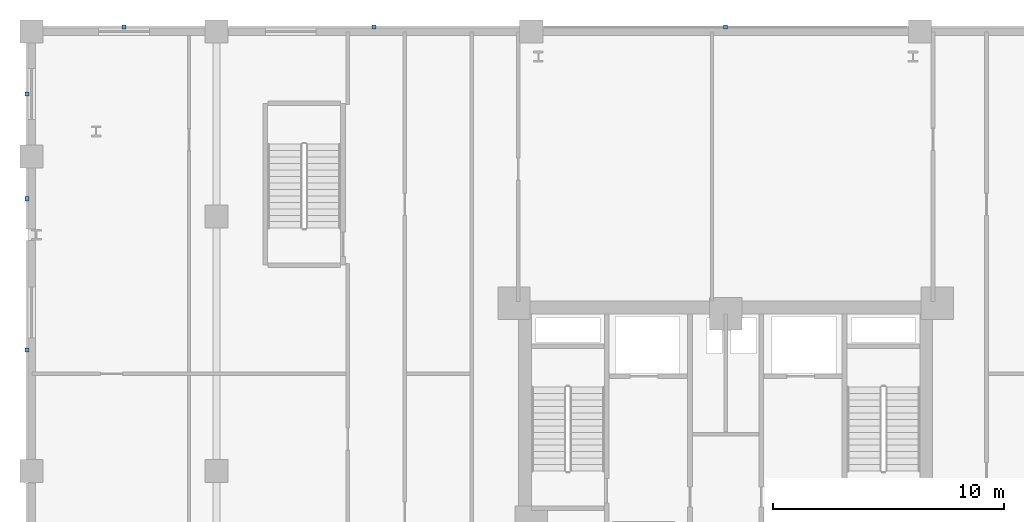
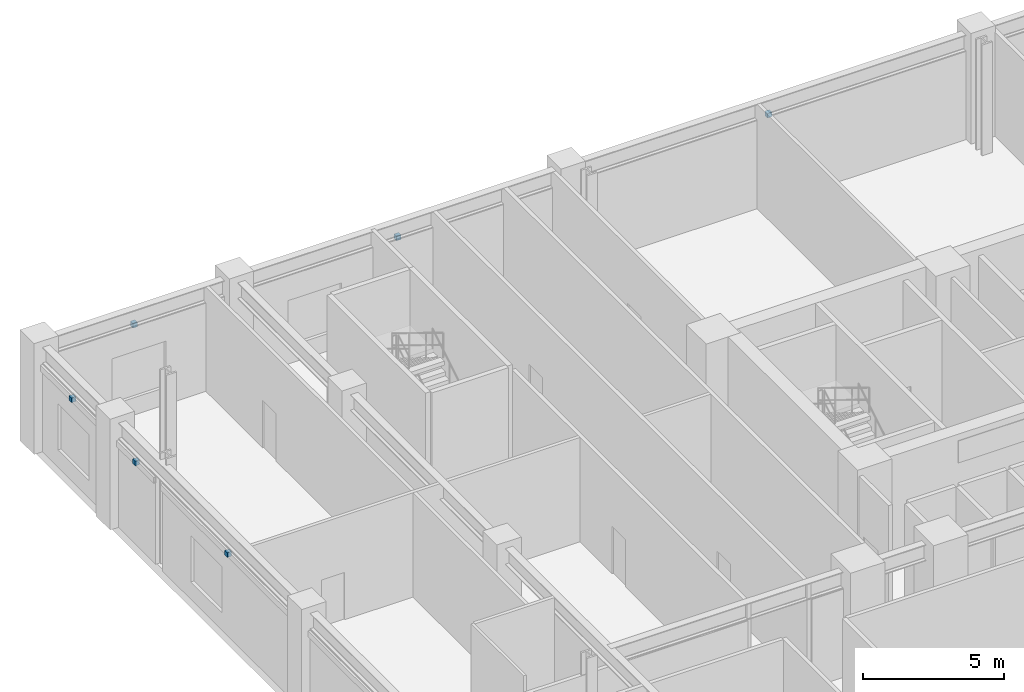
# One storey, part 25 of 34: 6 discrete accessories.
"""IFC4 building model written with IfcOpenShell, lengths in metres."""

from ifc_helpers import new_model, si_unit, derived_unit, direction, frame, origin, origin_2d, place, context, subcontext, project, spatial, rectangle, extrude, source, transform, mapped, material, type_object, element, save


model = new_model("IFC4")

# Units and contexts
model_context = context("Model", 3, precision=1e-05, world=origin(), true_north=direction((0.0, 1.0)))
body_context = subcontext(model_context, "Body", "Model", "MODEL_VIEW")
ifc_project = project(units=[si_unit("LENGTHUNIT", "METRE"), si_unit("AREAUNIT", "SQUARE_METRE"), si_unit("VOLUMEUNIT", "CUBIC_METRE"), si_unit("PLANEANGLEUNIT", "RADIAN"), si_unit("MASSUNIT", "GRAM", prefix="KILO"), derived_unit("THERMALTRANSMITTANCEUNIT", [(si_unit("POWERUNIT", "WATT"), 1), (si_unit("LENGTHUNIT", "METRE"), -2), (si_unit("THERMODYNAMICTEMPERATUREUNIT", "KELVIN"), -1)])], contexts=[model_context])

# Site, building, storey
site_placement = place(None, origin())
site = spatial("IfcSite", under=ifc_project, at=site_placement, CompositionType="ELEMENT")
building_placement = place(site_placement, origin())
building = spatial("IfcBuilding", under=site, at=building_placement, Name="Korsvarv Bourse and Concert Hall", CompositionType="ELEMENT")
storey_placement = place(building_placement, frame((0.0, 0.0, 14.39990234375)))
storey = spatial("IfcBuildingStorey", under=building, at=storey_placement, Name="L03", CompositionType="ELEMENT", Elevation=14.39990234375)

# Discrete accessories
ifc_material = material(Name="Stainless Steel S355 facade outrigger bracket", Category="steel")
discrete_accessory_type = type_object("IfcDiscreteAccessoryType", Name="ACC-BRK-1", PredefinedType="BRACKET", material=ifc_material)
shared_shape = source(origin(), body_context, "Body", "SweptSolid", [
    extrude(rectangle(XDim=0.179931640625, YDim=0.179931640625, at=origin_2d()), origin(), (0.0, 0.0, 1.0), 0.199951171875),
])
for number, where, z_axis, x_axis, name in (
    (1, (10.0, 59.199951171875, 3.56005859375), (0.0, 0.0, 1.0), (1.0, 0.0, 0.0), "L03 terracotta sunshade bracket EW-L03-N1"),
    (2, (20.800048828125, 59.199951171875, 3.56005859375), (0.0, 0.0, 1.0), (1.0, 0.0, 0.0), "L03 terracotta sunshade bracket EW-L03-N2"),
    (3, (36.0, 59.199951171875, 3.56005859375), (0.0, 0.0, 1.0), (1.0, 0.0, 0.0), "L03 terracotta sunshade bracket EW-L03-N3"),
    (4, (5.800048828125, 45.239990234375, 3.56005859375), (0.0, 0.0, 1.0), (0.0, 1.0, 0.0), "L03 terracotta sunshade bracket EW-L03-W4-1"),
    (5, (5.800048828125, 51.777099609375, 3.56005859375), (0.0, 0.0, 1.0), (0.0, 1.0, 0.0), "L03 terracotta sunshade bracket EW-L03-W4-2"),
    (6, (5.800048828125, 56.300048828125, 3.56005859375), (0.0, 0.0, 1.0), (0.0, 1.0, 0.0), "L03 terracotta sunshade bracket EW-L03-W5"),
):
    element("IfcDiscreteAccessory", number, at=place(storey_placement, frame(where, z_axis=z_axis, x_axis=x_axis)), inside=storey, type_object=discrete_accessory_type, Name=name, PredefinedType="BRACKET", context=body_context, shape_type="MappedRepresentation", body=[
        mapped(shared_shape, transform((0.0, 0.0, 0.0), scale=1.0)),
    ])

save(model, "model.ifc")
